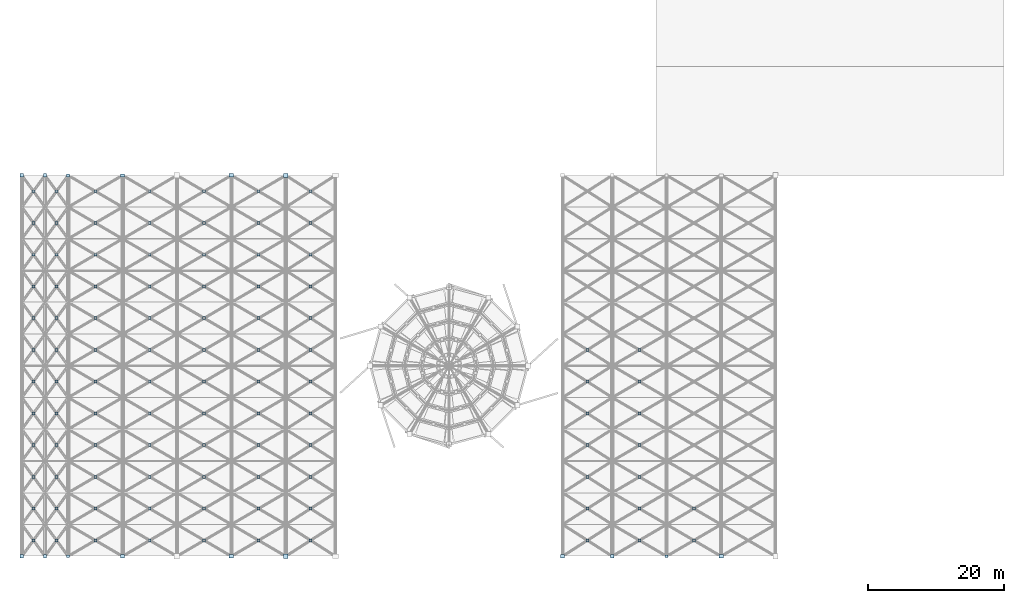
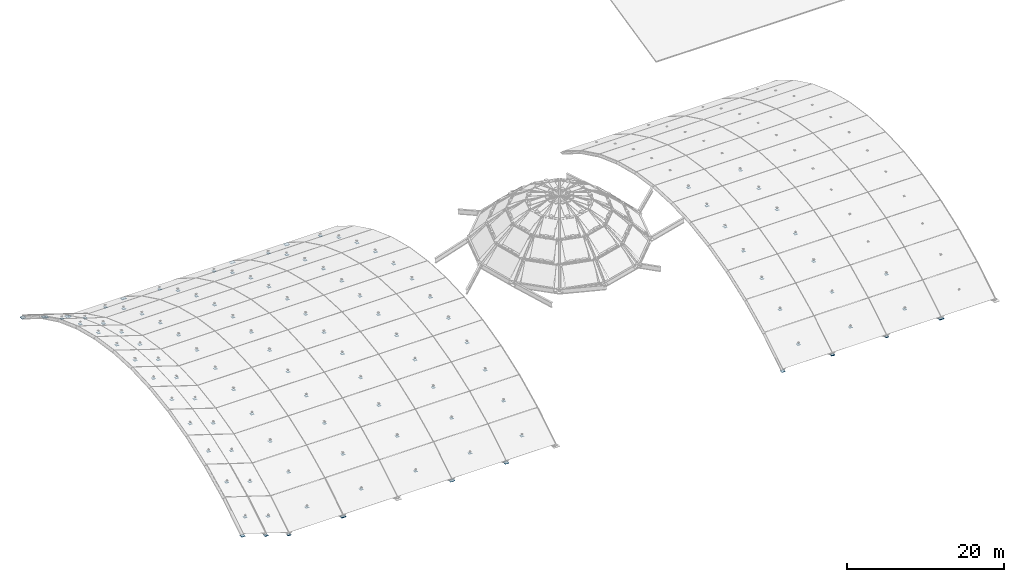
# One storey, part 15 of 21: 116 plates.
"""IFC4 building model written with IfcOpenShell, lengths in metres."""

from ifc_helpers import new_model, si_unit, direction, frame, origin, origin_2d, place, context, subcontext, project, spatial, rectangle, extrude, material, layer, layer_set, type_object, element, save


model = new_model("IFC4")

# Units and contexts
model_context = context("Model", 3, precision=1e-05, world=origin(), true_north=direction((0.0, 1.0)))
body_context = subcontext(model_context, "Body", "Model", "MODEL_VIEW")
ifc_project = project(units=[si_unit("LENGTHUNIT", "METRE"), si_unit("AREAUNIT", "SQUARE_METRE"), si_unit("VOLUMEUNIT", "CUBIC_METRE"), si_unit("PLANEANGLEUNIT", "RADIAN"), si_unit("MASSUNIT", "GRAM", prefix="KILO")], contexts=[model_context])

# Site, building, storey
site_placement = place(None, origin())
site = spatial("IfcSite", under=ifc_project, at=site_placement, CompositionType="ELEMENT")
building_placement = place(site_placement, origin())
building = spatial("IfcBuilding", under=site, at=building_placement, Name="Solmirada Galleria", CompositionType="ELEMENT")
storey_placement = place(building_placement, frame((0.0, 0.0, 37.5)))
storey = spatial("IfcBuildingStorey", under=building, at=storey_placement, Name="RF", CompositionType="ELEMENT", Elevation=37.5)

# Plates
ifc_material = material(Name="Steel S355 / ASTM A572 Grade 50", Category="steel")
ifc_layer_1 = layer(ifc_material, 0.031982421875)
ifc_layer_set_1 = layer_set([ifc_layer_1], Name="Steel S355 / ASTM A572 Grade 50")
plate_type_1 = type_object("IfcPlateType", Name="PLT-NODE-01", PredefinedType="SHEET", material=ifc_layer_set_1)
for number, where, z_axis, x_axis, name in (
    (1, (33.199951171875, 32.0, -7.17578125), (0.0, 0.0, 1.0), (1.0, 0.0, 0.0), "Barrel vault arch shoe node plate W00-1"),
    (2, (33.199951171875, 88.0, -7.17578125), (0.0, 0.0, 1.0), (1.0, 0.0, 0.0), "Barrel vault arch shoe node plate W00-2"),
    (3, (112.699951171875, 32.0, -9.3759765625), (0.0, 0.0, 1.0), (1.0, 0.0, 0.0), "Barrel vault arch shoe node plate E00-1"),
):
    element("IfcPlate", number, at=place(storey_placement, frame(where, z_axis=z_axis, x_axis=x_axis)), inside=storey, type_object=plate_type_1, Name=name, PredefinedType="SHEET", context=body_context, shape_type="SweptSolid", body=[
        extrude(rectangle(XDim=0.550048828125, YDim=0.550048828125, at=origin_2d()), origin(), (0.0, 0.0, 1.0), 0.031982421875),
    ])
ifc_layer_2 = layer(ifc_material, 0.028076171875)
ifc_layer_set_2 = layer_set([ifc_layer_2], Name="Steel S355 / ASTM A572 Grade 50")
plate_type_2 = type_object("IfcPlateType", Name="PLT-NODE-02", PredefinedType="SHEET", material=ifc_layer_set_2)
for number, where, z_axis, x_axis, name in (
    (4, (36.60009765625, 32.0, -8.27392578125), (0.0, 0.0, 1.0), (1.0, 0.0, 0.0), "Barrel vault arch shoe node plate W01-1"),
    (5, (36.60009765625, 88.0, -8.27392578125), (0.0, 0.0, 1.0), (1.0, 0.0, 0.0), "Barrel vault arch shoe node plate W01-2"),
    (6, (120.0, 32.0, -9.3740234375), (0.0, 0.0, 1.0), (1.0, 0.0, 0.0), "Barrel vault arch shoe node plate E01-1"),
):
    element("IfcPlate", number, at=place(storey_placement, frame(where, z_axis=z_axis, x_axis=x_axis)), inside=storey, type_object=plate_type_2, Name=name, PredefinedType="SHEET", context=body_context, shape_type="SweptSolid", body=[
        extrude(rectangle(XDim=0.47998046875, YDim=0.47998046875, at=origin_2d()), origin(), (0.0, 0.0, 1.0), 0.028076171875),
    ])
ifc_layer_3 = layer(ifc_material, 0.02490234375)
ifc_layer_set_3 = layer_set([ifc_layer_3], Name="Steel S355 / ASTM A572 Grade 50")
plate_type_3 = type_object("IfcPlateType", Name="PLT-NODE-03", PredefinedType="SHEET", material=ifc_layer_set_3)
for number, where, z_axis, x_axis, name in (
    (7, (40.0, 32.0, -9.37255859375), (0.0, 0.0, 1.0), (1.0, 0.0, 0.0), "Barrel vault arch shoe node plate W02-1"),
    (8, (40.0, 88.0, -9.37255859375), (0.0, 0.0, 1.0), (1.0, 0.0, 0.0), "Barrel vault arch shoe node plate W02-2"),
    (9, (34.89990234375, 34.333251953125, -6.26318359375), (0.0, 0.0, 1.0), (1.0, 0.0, 0.0), "Barrel gridshell X-brace crossing node plate W00-00"),
    (10, (34.89990234375, 39.0, -3.66943359375), (0.0, 0.0, 1.0), (1.0, 0.0, 0.0), "Barrel gridshell X-brace crossing node plate W00-01"),
    (11, (34.89990234375, 43.666748046875, -1.6845703125), (0.0, 0.0, 1.0), (1.0, 0.0, 0.0), "Barrel gridshell X-brace crossing node plate W00-02"),
    (12, (34.89990234375, 48.333251953125, -0.242919921875), (0.0, 0.0, 1.0), (1.0, 0.0, 0.0), "Barrel gridshell X-brace crossing node plate W00-03"),
    (13, (34.89990234375, 53.0, 0.69775390625), (0.0, 0.0, 1.0), (1.0, 0.0, 0.0), "Barrel gridshell X-brace crossing node plate W00-04"),
    (14, (34.89990234375, 57.666748046875, 1.162109375), (0.0, 0.0, 1.0), (1.0, 0.0, 0.0), "Barrel gridshell X-brace crossing node plate W00-05"),
    (15, (34.89990234375, 62.33349609375, 1.162109375), (0.0, 0.0, 1.0), (1.0, 0.0, 0.0), "Barrel gridshell X-brace crossing node plate W00-06"),
    (16, (34.89990234375, 67.0, 0.69775390625), (0.0, 0.0, 1.0), (1.0, 0.0, 0.0), "Barrel gridshell X-brace crossing node plate W00-07"),
    (17, (34.89990234375, 71.666748046875, -0.242919921875), (0.0, 0.0, 1.0), (1.0, 0.0, 0.0), "Barrel gridshell X-brace crossing node plate W00-08"),
    (18, (34.89990234375, 76.333251953125, -1.6845703125), (0.0, 0.0, 1.0), (1.0, 0.0, 0.0), "Barrel gridshell X-brace crossing node plate W00-09"),
    (19, (34.89990234375, 81.0, -3.66943359375), (0.0, 0.0, 1.0), (1.0, 0.0, 0.0), "Barrel gridshell X-brace crossing node plate W00-10"),
    (20, (34.89990234375, 85.666748046875, -6.26318359375), (0.0, 0.0, 1.0), (1.0, 0.0, 0.0), "Barrel gridshell X-brace crossing node plate W00-11"),
    (21, (38.300048828125, 34.333251953125, -7.36328125), (0.0, 0.0, 1.0), (1.0, 0.0, 0.0), "Barrel gridshell X-brace crossing node plate W01-00"),
    (22, (38.300048828125, 39.0, -4.76953125), (0.0, 0.0, 1.0), (1.0, 0.0, 0.0), "Barrel gridshell X-brace crossing node plate W01-01"),
    (23, (38.300048828125, 43.666748046875, -2.78466796875), (0.0, 0.0, 1.0), (1.0, 0.0, 0.0), "Barrel gridshell X-brace crossing node plate W01-02"),
    (24, (38.300048828125, 48.333251953125, -1.3427734375), (0.0, 0.0, 1.0), (1.0, 0.0, 0.0), "Barrel gridshell X-brace crossing node plate W01-03"),
    (25, (38.300048828125, 53.0, -0.40234375), (0.0, 0.0, 1.0), (1.0, 0.0, 0.0), "Barrel gridshell X-brace crossing node plate W01-04"),
    (26, (38.300048828125, 57.666748046875, 0.062255859375), (0.0, 0.0, 1.0), (1.0, 0.0, 0.0), "Barrel gridshell X-brace crossing node plate W01-05"),
    (27, (38.300048828125, 62.33349609375, 0.062255859375), (0.0, 0.0, 1.0), (1.0, 0.0, 0.0), "Barrel gridshell X-brace crossing node plate W01-06"),
    (28, (38.300048828125, 67.0, -0.40234375), (0.0, 0.0, 1.0), (1.0, 0.0, 0.0), "Barrel gridshell X-brace crossing node plate W01-07"),
    (29, (38.300048828125, 71.666748046875, -1.3427734375), (0.0, 0.0, 1.0), (1.0, 0.0, 0.0), "Barrel gridshell X-brace crossing node plate W01-08"),
    (30, (38.300048828125, 76.333251953125, -2.78466796875), (0.0, 0.0, 1.0), (1.0, 0.0, 0.0), "Barrel gridshell X-brace crossing node plate W01-09"),
    (31, (38.300048828125, 81.0, -4.76953125), (0.0, 0.0, 1.0), (1.0, 0.0, 0.0), "Barrel gridshell X-brace crossing node plate W01-10"),
    (32, (38.300048828125, 85.666748046875, -7.36328125), (0.0, 0.0, 1.0), (1.0, 0.0, 0.0), "Barrel gridshell X-brace crossing node plate W01-11"),
    (33, (44.0, 34.333251953125, -7.913330078125), (0.0, 0.0, 1.0), (1.0, 0.0, 0.0), "Barrel gridshell X-brace crossing node plate W02-00"),
    (34, (44.0, 39.0, -5.3193359375), (0.0, 0.0, 1.0), (1.0, 0.0, 0.0), "Barrel gridshell X-brace crossing node plate W02-01"),
    (35, (44.0, 43.666748046875, -3.334716796875), (0.0, 0.0, 1.0), (1.0, 0.0, 0.0), "Barrel gridshell X-brace crossing node plate W02-02"),
    (36, (44.0, 48.333251953125, -1.892822265625), (0.0, 0.0, 1.0), (1.0, 0.0, 0.0), "Barrel gridshell X-brace crossing node plate W02-03"),
    (37, (44.0, 53.0, -0.9521484375), (0.0, 0.0, 1.0), (1.0, 0.0, 0.0), "Barrel gridshell X-brace crossing node plate W02-04"),
    (38, (44.0, 57.666748046875, -0.48779296875), (0.0, 0.0, 1.0), (1.0, 0.0, 0.0), "Barrel gridshell X-brace crossing node plate W02-05"),
    (39, (44.0, 62.33349609375, -0.48779296875), (0.0, 0.0, 1.0), (1.0, 0.0, 0.0), "Barrel gridshell X-brace crossing node plate W02-06"),
    (40, (44.0, 67.0, -0.9521484375), (0.0, 0.0, 1.0), (1.0, 0.0, 0.0), "Barrel gridshell X-brace crossing node plate W02-07"),
    (41, (44.0, 71.666748046875, -1.892822265625), (0.0, 0.0, 1.0), (1.0, 0.0, 0.0), "Barrel gridshell X-brace crossing node plate W02-08"),
    (42, (44.0, 76.333251953125, -3.334716796875), (0.0, 0.0, 1.0), (1.0, 0.0, 0.0), "Barrel gridshell X-brace crossing node plate W02-09"),
    (43, (44.0, 81.0, -5.3193359375), (0.0, 0.0, 1.0), (1.0, 0.0, 0.0), "Barrel gridshell X-brace crossing node plate W02-10"),
    (44, (44.0, 85.666748046875, -7.913330078125), (0.0, 0.0, 1.0), (1.0, 0.0, 0.0), "Barrel gridshell X-brace crossing node plate W02-11"),
    (45, (52.0, 34.333251953125, -7.913330078125), (0.0, 0.0, 1.0), (1.0, 0.0, 0.0), "Barrel gridshell X-brace crossing node plate W03-00"),
    (46, (52.0, 39.0, -5.3193359375), (0.0, 0.0, 1.0), (1.0, 0.0, 0.0), "Barrel gridshell X-brace crossing node plate W03-01"),
    (47, (52.0, 43.666748046875, -3.334716796875), (0.0, 0.0, 1.0), (1.0, 0.0, 0.0), "Barrel gridshell X-brace crossing node plate W03-02"),
    (48, (52.0, 48.333251953125, -1.892822265625), (0.0, 0.0, 1.0), (1.0, 0.0, 0.0), "Barrel gridshell X-brace crossing node plate W03-03"),
    (49, (52.0, 53.0, -0.9521484375), (0.0, 0.0, 1.0), (1.0, 0.0, 0.0), "Barrel gridshell X-brace crossing node plate W03-04"),
    (50, (52.0, 57.666748046875, -0.48779296875), (0.0, 0.0, 1.0), (1.0, 0.0, 0.0), "Barrel gridshell X-brace crossing node plate W03-05"),
    (51, (52.0, 62.33349609375, -0.48779296875), (0.0, 0.0, 1.0), (1.0, 0.0, 0.0), "Barrel gridshell X-brace crossing node plate W03-06"),
    (52, (52.0, 67.0, -0.9521484375), (0.0, 0.0, 1.0), (1.0, 0.0, 0.0), "Barrel gridshell X-brace crossing node plate W03-07"),
    (53, (52.0, 71.666748046875, -1.892822265625), (0.0, 0.0, 1.0), (1.0, 0.0, 0.0), "Barrel gridshell X-brace crossing node plate W03-08"),
    (54, (52.0, 76.333251953125, -3.334716796875), (0.0, 0.0, 1.0), (1.0, 0.0, 0.0), "Barrel gridshell X-brace crossing node plate W03-09"),
    (55, (52.0, 81.0, -5.3193359375), (0.0, 0.0, 1.0), (1.0, 0.0, 0.0), "Barrel gridshell X-brace crossing node plate W03-10"),
    (56, (52.0, 85.666748046875, -7.913330078125), (0.0, 0.0, 1.0), (1.0, 0.0, 0.0), "Barrel gridshell X-brace crossing node plate W03-11"),
    (57, (60.0, 34.333251953125, -7.913330078125), (0.0, 0.0, 1.0), (1.0, 0.0, 0.0), "Barrel gridshell X-brace crossing node plate W04-00"),
    (58, (60.0, 39.0, -5.3193359375), (0.0, 0.0, 1.0), (1.0, 0.0, 0.0), "Barrel gridshell X-brace crossing node plate W04-01"),
    (59, (60.0, 43.666748046875, -3.334716796875), (0.0, 0.0, 1.0), (1.0, 0.0, 0.0), "Barrel gridshell X-brace crossing node plate W04-02"),
    (60, (60.0, 48.333251953125, -1.892822265625), (0.0, 0.0, 1.0), (1.0, 0.0, 0.0), "Barrel gridshell X-brace crossing node plate W04-03"),
    (61, (60.0, 53.0, -0.9521484375), (0.0, 0.0, 1.0), (1.0, 0.0, 0.0), "Barrel gridshell X-brace crossing node plate W04-04"),
    (62, (60.0, 57.666748046875, -0.48779296875), (0.0, 0.0, 1.0), (1.0, 0.0, 0.0), "Barrel gridshell X-brace crossing node plate W04-05"),
    (63, (60.0, 62.33349609375, -0.48779296875), (0.0, 0.0, 1.0), (1.0, 0.0, 0.0), "Barrel gridshell X-brace crossing node plate W04-06"),
    (64, (60.0, 67.0, -0.9521484375), (0.0, 0.0, 1.0), (1.0, 0.0, 0.0), "Barrel gridshell X-brace crossing node plate W04-07"),
    (65, (60.0, 71.666748046875, -1.892822265625), (0.0, 0.0, 1.0), (1.0, 0.0, 0.0), "Barrel gridshell X-brace crossing node plate W04-08"),
    (66, (60.0, 76.333251953125, -3.334716796875), (0.0, 0.0, 1.0), (1.0, 0.0, 0.0), "Barrel gridshell X-brace crossing node plate W04-09"),
    (67, (60.0, 81.0, -5.3193359375), (0.0, 0.0, 1.0), (1.0, 0.0, 0.0), "Barrel gridshell X-brace crossing node plate W04-10"),
    (68, (60.0, 85.666748046875, -7.913330078125), (0.0, 0.0, 1.0), (1.0, 0.0, 0.0), "Barrel gridshell X-brace crossing node plate W04-11"),
    (69, (68.0, 34.333251953125, -7.913330078125), (0.0, 0.0, 1.0), (1.0, 0.0, 0.0), "Barrel gridshell X-brace crossing node plate W05-00"),
    (70, (68.0, 39.0, -5.3193359375), (0.0, 0.0, 1.0), (1.0, 0.0, 0.0), "Barrel gridshell X-brace crossing node plate W05-01"),
    (71, (68.0, 43.666748046875, -3.334716796875), (0.0, 0.0, 1.0), (1.0, 0.0, 0.0), "Barrel gridshell X-brace crossing node plate W05-02"),
    (72, (68.0, 48.333251953125, -1.892822265625), (0.0, 0.0, 1.0), (1.0, 0.0, 0.0), "Barrel gridshell X-brace crossing node plate W05-03"),
    (73, (68.0, 53.0, -0.9521484375), (0.0, 0.0, 1.0), (1.0, 0.0, 0.0), "Barrel gridshell X-brace crossing node plate W05-04"),
    (74, (68.0, 57.666748046875, -0.48779296875), (0.0, 0.0, 1.0), (1.0, 0.0, 0.0), "Barrel gridshell X-brace crossing node plate W05-05"),
    (75, (68.0, 62.33349609375, -0.48779296875), (0.0, 0.0, 1.0), (1.0, 0.0, 0.0), "Barrel gridshell X-brace crossing node plate W05-06"),
    (76, (68.0, 67.0, -0.9521484375), (0.0, 0.0, 1.0), (1.0, 0.0, 0.0), "Barrel gridshell X-brace crossing node plate W05-07"),
    (77, (68.0, 71.666748046875, -1.892822265625), (0.0, 0.0, 1.0), (1.0, 0.0, 0.0), "Barrel gridshell X-brace crossing node plate W05-08"),
    (78, (68.0, 76.333251953125, -3.334716796875), (0.0, 0.0, 1.0), (1.0, 0.0, 0.0), "Barrel gridshell X-brace crossing node plate W05-09"),
    (79, (68.0, 81.0, -5.3193359375), (0.0, 0.0, 1.0), (1.0, 0.0, 0.0), "Barrel gridshell X-brace crossing node plate W05-10"),
    (80, (68.0, 85.666748046875, -7.913330078125), (0.0, 0.0, 1.0), (1.0, 0.0, 0.0), "Barrel gridshell X-brace crossing node plate W05-11"),
    (81, (75.64990234375, 34.333251953125, -7.913330078125), (0.0, 0.0, 1.0), (1.0, 0.0, 0.0), "Barrel gridshell X-brace crossing node plate W06-00"),
    (82, (75.64990234375, 39.0, -5.3193359375), (0.0, 0.0, 1.0), (1.0, 0.0, 0.0), "Barrel gridshell X-brace crossing node plate W06-01"),
    (83, (75.64990234375, 43.666748046875, -3.334716796875), (0.0, 0.0, 1.0), (1.0, 0.0, 0.0), "Barrel gridshell X-brace crossing node plate W06-02"),
    (84, (75.64990234375, 48.333251953125, -1.892822265625), (0.0, 0.0, 1.0), (1.0, 0.0, 0.0), "Barrel gridshell X-brace crossing node plate W06-03"),
    (85, (75.64990234375, 53.0, -0.9521484375), (0.0, 0.0, 1.0), (1.0, 0.0, 0.0), "Barrel gridshell X-brace crossing node plate W06-04"),
    (86, (75.64990234375, 57.666748046875, -0.48779296875), (0.0, 0.0, 1.0), (1.0, 0.0, 0.0), "Barrel gridshell X-brace crossing node plate W06-05"),
    (87, (75.64990234375, 62.33349609375, -0.48779296875), (0.0, 0.0, 1.0), (1.0, 0.0, 0.0), "Barrel gridshell X-brace crossing node plate W06-06"),
    (88, (75.64990234375, 67.0, -0.9521484375), (0.0, 0.0, 1.0), (1.0, 0.0, 0.0), "Barrel gridshell X-brace crossing node plate W06-07"),
    (89, (75.64990234375, 71.666748046875, -1.892822265625), (0.0, 0.0, 1.0), (1.0, 0.0, 0.0), "Barrel gridshell X-brace crossing node plate W06-08"),
    (90, (75.64990234375, 76.333251953125, -3.334716796875), (0.0, 0.0, 1.0), (1.0, 0.0, 0.0), "Barrel gridshell X-brace crossing node plate W06-09"),
    (91, (75.64990234375, 81.0, -5.3193359375), (0.0, 0.0, 1.0), (1.0, 0.0, 0.0), "Barrel gridshell X-brace crossing node plate W06-10"),
    (92, (75.64990234375, 85.666748046875, -7.913330078125), (0.0, 0.0, 1.0), (1.0, 0.0, 0.0), "Barrel gridshell X-brace crossing node plate W06-11"),
    (93, (128.0, 32.0, -9.37255859375), (0.0, 0.0, 1.0), (1.0, 0.0, 0.0), "Barrel vault arch shoe node plate E02-1"),
    (94, (116.35009765625, 34.333251953125, -7.913330078125), (0.0, 0.0, 1.0), (1.0, 0.0, 0.0), "Barrel gridshell X-brace crossing node plate E00-00"),
    (95, (116.35009765625, 39.0, -5.3193359375), (0.0, 0.0, 1.0), (1.0, 0.0, 0.0), "Barrel gridshell X-brace crossing node plate E00-01"),
    (96, (116.35009765625, 43.666748046875, -3.334716796875), (0.0, 0.0, 1.0), (1.0, 0.0, 0.0), "Barrel gridshell X-brace crossing node plate E00-02"),
    (97, (116.35009765625, 48.333251953125, -1.892822265625), (0.0, 0.0, 1.0), (1.0, 0.0, 0.0), "Barrel gridshell X-brace crossing node plate E00-03"),
    (98, (116.35009765625, 53.0, -0.9521484375), (0.0, 0.0, 1.0), (1.0, 0.0, 0.0), "Barrel gridshell X-brace crossing node plate E00-04"),
    (99, (116.35009765625, 57.666748046875, -0.48779296875), (0.0, 0.0, 1.0), (1.0, 0.0, 0.0), "Barrel gridshell X-brace crossing node plate E00-05"),
    (100, (116.35009765625, 62.33349609375, -0.48779296875), (0.0, 0.0, 1.0), (1.0, 0.0, 0.0), "Barrel gridshell X-brace crossing node plate E00-06"),
    (101, (124.0, 34.333251953125, -7.913330078125), (0.0, 0.0, 1.0), (1.0, 0.0, 0.0), "Barrel gridshell X-brace crossing node plate E01-00"),
    (102, (124.0, 39.0, -5.3193359375), (0.0, 0.0, 1.0), (1.0, 0.0, 0.0), "Barrel gridshell X-brace crossing node plate E01-01"),
    (103, (124.0, 43.666748046875, -3.334716796875), (0.0, 0.0, 1.0), (1.0, 0.0, 0.0), "Barrel gridshell X-brace crossing node plate E01-02"),
    (104, (124.0, 48.333251953125, -1.892822265625), (0.0, 0.0, 1.0), (1.0, 0.0, 0.0), "Barrel gridshell X-brace crossing node plate E01-03"),
    (105, (124.0, 53.0, -0.9521484375), (0.0, 0.0, 1.0), (1.0, 0.0, 0.0), "Barrel gridshell X-brace crossing node plate E01-04"),
    (106, (124.0, 57.666748046875, -0.48779296875), (0.0, 0.0, 1.0), (1.0, 0.0, 0.0), "Barrel gridshell X-brace crossing node plate E01-05"),
    (107, (124.0, 62.33349609375, -0.48779296875), (0.0, 0.0, 1.0), (1.0, 0.0, 0.0), "Barrel gridshell X-brace crossing node plate E01-06"),
    (108, (132.0, 34.333251953125, -7.913330078125), (0.0, 0.0, 1.0), (1.0, 0.0, 0.0), "Barrel gridshell X-brace crossing node plate E02-00"),
    (109, (132.0, 39.0, -5.3193359375), (0.0, 0.0, 1.0), (1.0, 0.0, 0.0), "Barrel gridshell X-brace crossing node plate E02-01"),
):
    element("IfcPlate", number, at=place(storey_placement, frame(where, z_axis=z_axis, x_axis=x_axis)), inside=storey, type_object=plate_type_3, Name=name, PredefinedType="SHEET", context=body_context, shape_type="SweptSolid", body=[
        extrude(rectangle(XDim=0.419921875, YDim=0.419921875, at=origin_2d()), origin(), (0.0, 0.0, 1.0), 0.02490234375),
    ])
ifc_layer_4 = layer(ifc_material, 0.035888671875)
ifc_layer_set_4 = layer_set([ifc_layer_4], Name="Steel S355 / ASTM A572 Grade 50")
plate_type_4 = type_object("IfcPlateType", Name="PLT-NODE-04", PredefinedType="SHEET", material=ifc_layer_set_4)
for number, where, z_axis, x_axis, name in (
    (110, (48.0, 32.0, -9.3779296875), (0.0, 0.0, 1.0), (1.0, 0.0, 0.0), "Barrel vault arch shoe node plate W03-1"),
    (111, (48.0, 88.0, -9.3779296875), (0.0, 0.0, 1.0), (1.0, 0.0, 0.0), "Barrel vault arch shoe node plate W03-2"),
    (112, (136.0, 32.0, -9.3779296875), (0.0, 0.0, 1.0), (1.0, 0.0, 0.0), "Barrel vault arch shoe node plate E03-1"),
):
    element("IfcPlate", number, at=place(storey_placement, frame(where, z_axis=z_axis, x_axis=x_axis)), inside=storey, type_object=plate_type_4, Name=name, PredefinedType="SHEET", context=body_context, shape_type="SweptSolid", body=[
        extrude(rectangle(XDim=0.64990234375, YDim=0.449951171875, at=origin_2d()), origin(), (0.0, 0.0, 1.0), 0.035888671875),
    ])
ifc_layer_5 = layer(ifc_material, 0.0400390625)
ifc_layer_set_5 = layer_set([ifc_layer_5], Name="Steel S355 / ASTM A572 Grade 50")
plate_type_5 = type_object("IfcPlateType", Name="PLT-NODE-06", PredefinedType="SHEET", material=ifc_layer_set_5)
for number, where, z_axis, x_axis, name in (
    (113, (64.0, 32.0, -9.380126953125), (0.0, 0.0, 1.0), (1.0, 0.0, 0.0), "Barrel vault arch shoe node plate W05-1"),
    (114, (64.0, 88.0, -9.380126953125), (0.0, 0.0, 1.0), (1.0, 0.0, 0.0), "Barrel vault arch shoe node plate W05-2"),
):
    element("IfcPlate", number, at=place(storey_placement, frame(where, z_axis=z_axis, x_axis=x_axis)), inside=storey, type_object=plate_type_5, Name=name, PredefinedType="SHEET", context=body_context, shape_type="SweptSolid", body=[
        extrude(rectangle(XDim=0.699951171875, YDim=0.5, at=origin_2d()), origin(), (0.0, 0.0, 1.0), 0.0400390625),
    ])
ifc_layer_6 = layer(ifc_material, 0.034912109375)
ifc_layer_set_6 = layer_set([ifc_layer_6], Name="Steel S355 / ASTM A572 Grade 50")
plate_type_6 = type_object("IfcPlateType", Name="PLT-NODE-07", PredefinedType="SHEET", material=ifc_layer_set_6)
for number, where, z_axis, x_axis, name in (
    (115, (72.0, 32.0, -9.37744140625), (0.0, 0.0, 1.0), (1.0, 0.0, 0.0), "Barrel vault arch shoe node plate W06-1"),
    (116, (72.0, 88.0, -9.37744140625), (0.0, 0.0, 1.0), (1.0, 0.0, 0.0), "Barrel vault arch shoe node plate W06-2"),
):
    element("IfcPlate", number, at=place(storey_placement, frame(where, z_axis=z_axis, x_axis=x_axis)), inside=storey, type_object=plate_type_6, Name=name, PredefinedType="SHEET", context=body_context, shape_type="SweptSolid", body=[
        extrude(rectangle(XDim=0.60009765625, YDim=0.60009765625, at=origin_2d()), origin(), (0.0, 0.0, 1.0), 0.034912109375),
    ])

save(model, "model.ifc")
